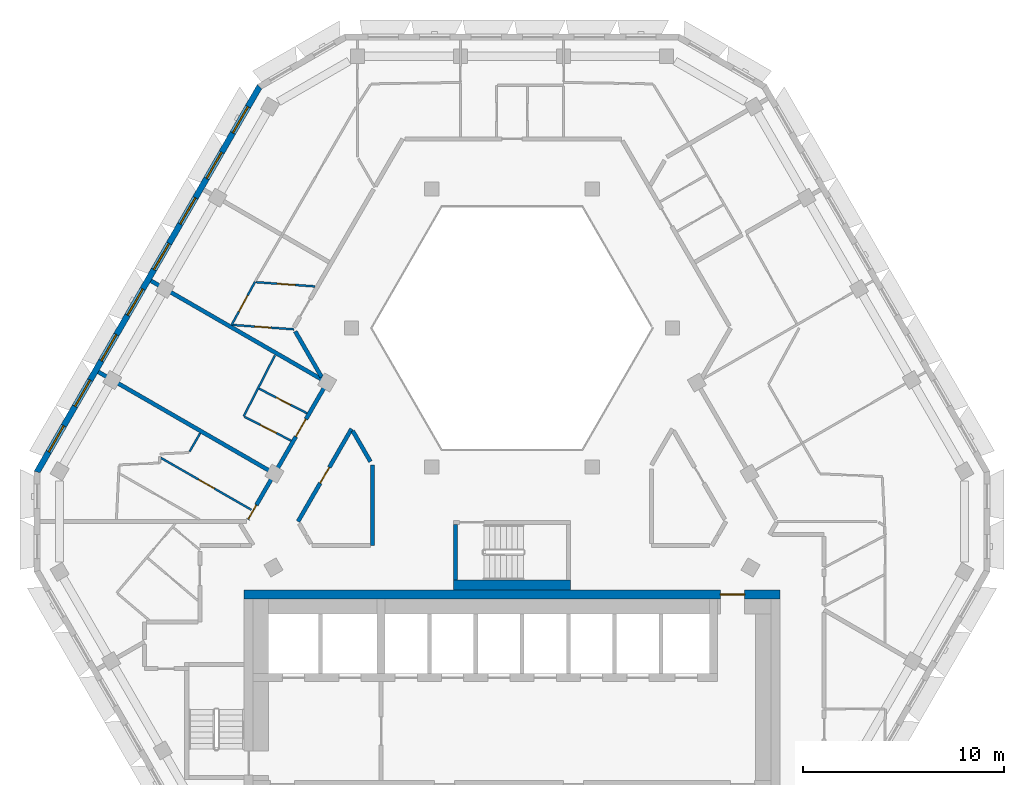
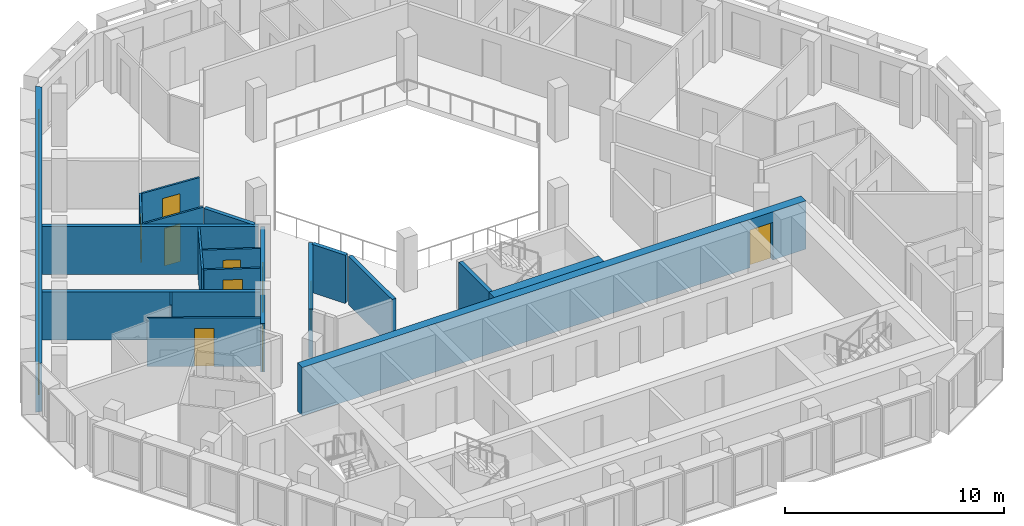
# One storey, part 5 of 16: 19 walls, 10 doors, 8 windows, 18 openings.
"""IFC4 building model written with IfcOpenShell, lengths in metres."""

from ifc_helpers import new_model, si_unit, direction, frame, frame_2d, origin, place, context, subcontext, project, spatial, polyline, rectangle, outline, extrude, material, layer, layer_set, type_object, element, fill, save


model = new_model("IFC4")

# Units and contexts
model_context = context("Model", 3, precision=1e-05, world=origin(), true_north=direction((0.0, 1.0)))
body_context = subcontext(model_context, "Body", "Model", "MODEL_VIEW")
ifc_project = project(units=[si_unit("LENGTHUNIT", "METRE"), si_unit("AREAUNIT", "SQUARE_METRE"), si_unit("VOLUMEUNIT", "CUBIC_METRE"), si_unit("PLANEANGLEUNIT", "RADIAN"), si_unit("MASSUNIT", "GRAM", prefix="KILO")], contexts=[model_context])

# Site, building, storey
site_placement = place(None, origin())
site = spatial("IfcSite", under=ifc_project, at=site_placement, CompositionType="ELEMENT")
building_placement = place(site_placement, origin())
building = spatial("IfcBuilding", under=site, at=building_placement, Name="Beryl Residences", CompositionType="ELEMENT")
storey_placement = place(building_placement, frame((0.0, 0.0, 214.800048828125)))
storey = spatial("IfcBuildingStorey", under=building, at=storey_placement, Name="L66", CompositionType="ELEMENT", Elevation=214.800048828125)

# Wall, openings, windows
ifc_material_1 = material(Name="Composite metal panel with mineral wool insulation")
ifc_layer_1 = layer(ifc_material_1, 0.300048828125)
ifc_layer_set_1 = layer_set([ifc_layer_1], Name="ES1 pale metal composite panel wall 300 mm")
wall_type_1 = type_object("IfcWallType", Name="ES1 pale metal composite panel wall 300 mm", PredefinedType="SOLIDWALL", material=ifc_layer_set_1)
wall_1_placement = place(storey_placement, frame((-12.513916015625, 20.02490234375, 0.0), z_axis=(0.0, 0.0, 1.0), x_axis=(-0.500003656944, -0.866023292436, 0.0)))
wall_1 = element("IfcWall", 1, at=wall_1_placement, inside=storey, type_object=wall_type_1, Name="ES1 external wall L66 NW", PredefinedType="SOLIDWALL", context=body_context, shape_type="SweptSolid", body=[
    extrude(outline(polyline([(0.0, -0.14990234375), (22.170166015625, -0.14990234375), (22.08984375, 0.14990234375), (0.080322265625, 0.14990234375), (0.0, -0.14990234375)])), origin(), (0.0, 0.0, 1.0), 2.699951171875),
])
opening_1_placement = place(wall_1_placement, frame((1.19091796875, 0.0, 0.14990234375)))
opening_1 = element("IfcOpeningElement", 2, at=opening_1_placement, cuts=wall_1, Name="Opening W1", PredefinedType="OPENING", context=body_context, shape_type="SweptSolid", body=[
    extrude(rectangle(XDim=1.5, YDim=2.10009765625, at=frame_2d((0.75, 1.050048828125))), frame((0.0, 0.159912109375, 0.0), z_axis=(0.0, -1.0, 0.0), x_axis=(1.0, 0.0, 0.0)), (0.0, 0.0, 1.0), 0.320068359375),
])
opening_2_placement = place(wall_1_placement, frame((3.803955078125, 0.0, 0.14990234375)))
opening_2 = element("IfcOpeningElement", 3, at=opening_2_placement, cuts=wall_1, Name="Opening W1", PredefinedType="OPENING", context=body_context, shape_type="SweptSolid", body=[
    extrude(rectangle(XDim=1.5, YDim=2.10009765625, at=frame_2d((0.75, 1.050048828125))), frame((0.0, 0.159912109375, 0.0), z_axis=(0.0, -1.0, 0.0), x_axis=(1.0, 0.0, 0.0)), (0.0, 0.0, 1.0), 0.320068359375),
])
opening_3_placement = place(wall_1_placement, frame((6.416015625, 0.0, 0.14990234375)))
opening_3 = element("IfcOpeningElement", 4, at=opening_3_placement, cuts=wall_1, Name="Opening W1", PredefinedType="OPENING", context=body_context, shape_type="SweptSolid", body=[
    extrude(rectangle(XDim=1.5, YDim=2.10009765625, at=frame_2d((0.75, 1.050048828125))), frame((0.0, 0.159912109375, 0.0), z_axis=(0.0, -1.0, 0.0), x_axis=(1.0, 0.0, 0.0)), (0.0, 0.0, 1.0), 0.320068359375),
])
opening_4_placement = place(wall_1_placement, frame((9.029052734375, 0.0, 0.14990234375)))
opening_4 = element("IfcOpeningElement", 5, at=opening_4_placement, cuts=wall_1, Name="Opening W1", PredefinedType="OPENING", context=body_context, shape_type="SweptSolid", body=[
    extrude(rectangle(XDim=1.5, YDim=2.10009765625, at=frame_2d((0.75, 1.050048828125))), frame((0.0, 0.159912109375, 0.0), z_axis=(0.0, -1.0, 0.0), x_axis=(1.0, 0.0, 0.0)), (0.0, 0.0, 1.0), 0.320068359375),
])
opening_5_placement = place(wall_1_placement, frame((11.64111328125, 0.0, 0.14990234375)))
opening_5 = element("IfcOpeningElement", 6, at=opening_5_placement, cuts=wall_1, Name="Opening W1", PredefinedType="OPENING", context=body_context, shape_type="SweptSolid", body=[
    extrude(rectangle(XDim=1.5, YDim=2.10009765625, at=frame_2d((0.75, 1.050048828125))), frame((0.0, 0.159912109375, 0.0), z_axis=(0.0, -1.0, 0.0), x_axis=(1.0, 0.0, 0.0)), (0.0, 0.0, 1.0), 0.320068359375),
])
opening_6_placement = place(wall_1_placement, frame((14.25390625, 0.0, 0.14990234375)))
opening_6 = element("IfcOpeningElement", 7, at=opening_6_placement, cuts=wall_1, Name="Opening W1", PredefinedType="OPENING", context=body_context, shape_type="SweptSolid", body=[
    extrude(rectangle(XDim=1.5, YDim=2.10009765625, at=frame_2d((0.75, 1.050048828125))), frame((0.0, 0.159912109375, 0.0), z_axis=(0.0, -1.0, 0.0), x_axis=(1.0, 0.0, 0.0)), (0.0, 0.0, 1.0), 0.320068359375),
])
opening_7_placement = place(wall_1_placement, frame((16.865966796875, 0.0, 0.14990234375)))
opening_7 = element("IfcOpeningElement", 8, at=opening_7_placement, cuts=wall_1, Name="Opening W1", PredefinedType="OPENING", context=body_context, shape_type="SweptSolid", body=[
    extrude(rectangle(XDim=1.5, YDim=2.10009765625, at=frame_2d((0.75, 1.050048828125))), frame((0.0, 0.159912109375, 0.0), z_axis=(0.0, -1.0, 0.0), x_axis=(1.0, 0.0, 0.0)), (0.0, 0.0, 1.0), 0.320068359375),
])
opening_8_placement = place(wall_1_placement, frame((19.47900390625, 0.0, 0.14990234375)))
opening_8 = element("IfcOpeningElement", 9, at=opening_8_placement, cuts=wall_1, Name="Opening W1", PredefinedType="OPENING", context=body_context, shape_type="SweptSolid", body=[
    extrude(rectangle(XDim=1.5, YDim=2.10009765625, at=frame_2d((0.75, 1.050048828125))), frame((0.0, 0.159912109375, 0.0), z_axis=(0.0, -1.0, 0.0), x_axis=(1.0, 0.0, 0.0)), (0.0, 0.0, 1.0), 0.320068359375),
])
ifc_material_2 = material(Name="Aluminium and clear glass", Category="aluminium")
window_type = type_object("IfcWindowType", Name="W1 cell window 1500 x 2100 mm", PartitioningType="SINGLE_PANEL", PredefinedType="WINDOW", material=ifc_material_2)
window_1_placement = place(opening_1_placement, origin())
window_1 = element("IfcWindow", 10, at=window_1_placement, inside=storey, type_object=window_type, Name="W1 window L66 NW 1", OverallHeight=2.10009765625, OverallWidth=1.5, PartitioningType="SINGLE_PANEL", PredefinedType="WINDOW", context=body_context, shape_type="SweptSolid", body=[
    extrude(rectangle(XDim=1.5, YDim=2.10009765625, at=frame_2d((0.75, 1.050048828125))), frame((0.0, 0.030029296875, 0.0), z_axis=(0.0, -1.0, 0.0), x_axis=(1.0, 0.0, 0.0)), (0.0, 0.0, 1.0), 0.06005859375),
])
fill(opening_1, window_1)
window_2_placement = place(opening_2_placement, origin())
window_2 = element("IfcWindow", 11, at=window_2_placement, inside=storey, type_object=window_type, Name="W1 window L66 NW 2", OverallHeight=2.10009765625, OverallWidth=1.5, PartitioningType="SINGLE_PANEL", PredefinedType="WINDOW", context=body_context, shape_type="SweptSolid", body=[
    extrude(rectangle(XDim=1.5, YDim=2.10009765625, at=frame_2d((0.75, 1.050048828125))), frame((0.0, 0.030029296875, 0.0), z_axis=(0.0, -1.0, 0.0), x_axis=(1.0, 0.0, 0.0)), (0.0, 0.0, 1.0), 0.06005859375),
])
fill(opening_2, window_2)
window_3_placement = place(opening_3_placement, origin())
window_3 = element("IfcWindow", 12, at=window_3_placement, inside=storey, type_object=window_type, Name="W1 window L66 NW 3", OverallHeight=2.10009765625, OverallWidth=1.5, PartitioningType="SINGLE_PANEL", PredefinedType="WINDOW", context=body_context, shape_type="SweptSolid", body=[
    extrude(rectangle(XDim=1.5, YDim=2.10009765625, at=frame_2d((0.75, 1.050048828125))), frame((0.0, 0.030029296875, 0.0), z_axis=(0.0, -1.0, 0.0), x_axis=(1.0, 0.0, 0.0)), (0.0, 0.0, 1.0), 0.06005859375),
])
fill(opening_3, window_3)
window_4_placement = place(opening_4_placement, origin())
window_4 = element("IfcWindow", 13, at=window_4_placement, inside=storey, type_object=window_type, Name="W1 window L66 NW 4", OverallHeight=2.10009765625, OverallWidth=1.5, PartitioningType="SINGLE_PANEL", PredefinedType="WINDOW", context=body_context, shape_type="SweptSolid", body=[
    extrude(rectangle(XDim=1.5, YDim=2.10009765625, at=frame_2d((0.75, 1.050048828125))), frame((0.0, 0.030029296875, 0.0), z_axis=(0.0, -1.0, 0.0), x_axis=(1.0, 0.0, 0.0)), (0.0, 0.0, 1.0), 0.06005859375),
])
fill(opening_4, window_4)
window_5_placement = place(opening_5_placement, origin())
window_5 = element("IfcWindow", 14, at=window_5_placement, inside=storey, type_object=window_type, Name="W1 window L66 NW 5", OverallHeight=2.10009765625, OverallWidth=1.5, PartitioningType="SINGLE_PANEL", PredefinedType="WINDOW", context=body_context, shape_type="SweptSolid", body=[
    extrude(rectangle(XDim=1.5, YDim=2.10009765625, at=frame_2d((0.75, 1.050048828125))), frame((0.0, 0.030029296875, 0.0), z_axis=(0.0, -1.0, 0.0), x_axis=(1.0, 0.0, 0.0)), (0.0, 0.0, 1.0), 0.06005859375),
])
fill(opening_5, window_5)
window_6_placement = place(opening_6_placement, origin())
window_6 = element("IfcWindow", 15, at=window_6_placement, inside=storey, type_object=window_type, Name="W1 window L66 NW 6", OverallHeight=2.10009765625, OverallWidth=1.5, PartitioningType="SINGLE_PANEL", PredefinedType="WINDOW", context=body_context, shape_type="SweptSolid", body=[
    extrude(rectangle(XDim=1.5, YDim=2.10009765625, at=frame_2d((0.75, 1.050048828125))), frame((0.0, 0.030029296875, 0.0), z_axis=(0.0, -1.0, 0.0), x_axis=(1.0, 0.0, 0.0)), (0.0, 0.0, 1.0), 0.06005859375),
])
fill(opening_6, window_6)
window_7_placement = place(opening_7_placement, origin())
window_7 = element("IfcWindow", 16, at=window_7_placement, inside=storey, type_object=window_type, Name="W1 window L66 NW 7", OverallHeight=2.10009765625, OverallWidth=1.5, PartitioningType="SINGLE_PANEL", PredefinedType="WINDOW", context=body_context, shape_type="SweptSolid", body=[
    extrude(rectangle(XDim=1.5, YDim=2.10009765625, at=frame_2d((0.75, 1.050048828125))), frame((0.0, 0.030029296875, 0.0), z_axis=(0.0, -1.0, 0.0), x_axis=(1.0, 0.0, 0.0)), (0.0, 0.0, 1.0), 0.06005859375),
])
fill(opening_7, window_7)
window_8_placement = place(opening_8_placement, origin())
window_8 = element("IfcWindow", 17, at=window_8_placement, inside=storey, type_object=window_type, Name="W1 window L66 NW 8", OverallHeight=2.10009765625, OverallWidth=1.5, PartitioningType="SINGLE_PANEL", PredefinedType="WINDOW", context=body_context, shape_type="SweptSolid", body=[
    extrude(rectangle(XDim=1.5, YDim=2.10009765625, at=frame_2d((0.75, 1.050048828125))), frame((0.0, 0.030029296875, 0.0), z_axis=(0.0, -1.0, 0.0), x_axis=(1.0, 0.0, 0.0)), (0.0, 0.0, 1.0), 0.06005859375),
])
fill(opening_8, window_8)

# Wall, opening, door
ifc_material_3 = material(Name="Gypsum board partition on steel studs", Category="steel")
ifc_layer_2 = layer(ifc_material_3, 0.10009765625)
ifc_layer_set_2 = layer_set([ifc_layer_2], Name="PT1 partition 100 mm gypsum board on steel studs")
wall_type_2 = type_object("IfcWallType", Name="PT1 partition 100 mm gypsum board on steel studs", PredefinedType="PARTITIONING", material=ifc_layer_set_2)
wall_2_placement = place(storey_placement, frame((-12.56201171875, 4.9951171875, 0.0), z_axis=(0.0, 0.0, 1.0), x_axis=(0.889807979554, -0.456335139478, 0.0)))
wall_2 = element("IfcWall", 18, at=wall_2_placement, inside=storey, type_object=wall_type_2, Name="Wall PT1 L66 015", PredefinedType="PARTITIONING", context=body_context, shape_type="SweptSolid", body=[
    extrude(rectangle(XDim=2.680419921875, YDim=0.10009765625, at=frame_2d((1.34033203125, 0.0))), origin(), (0.0, 0.0, 1.0), 2.699951171875),
])
opening_9_placement = place(wall_2_placement, frame((0.965087890625, 0.0, 0.0)))
opening_9 = element("IfcOpeningElement", 19, at=opening_9_placement, cuts=wall_2, Name="Opening D1816", PredefinedType="OPENING", context=body_context, shape_type="SweptSolid", body=[
    extrude(rectangle(XDim=0.800048828125, YDim=2.10009765625, at=frame_2d((0.39990234375, 1.050048828125))), frame((0.0, 0.06005859375, 0.0), z_axis=(0.0, -1.0, 0.0), x_axis=(1.0, 0.0, 0.0)), (0.0, 0.0, 1.0), 0.1201171875),
])
ifc_material_4 = material(Name="Timber door leaf", Category="wood")
door_type_1 = type_object("IfcDoorType", Name="D3 bathroom door 800 x 2100 mm", OperationType="SINGLE_SWING_LEFT", PredefinedType="DOOR", material=ifc_material_4)
door_1_placement = place(opening_9_placement, origin())
door_1 = element("IfcDoor", 20, at=door_1_placement, inside=storey, type_object=door_type_1, Name="Door D1816 L66 001", OperationType="SINGLE_SWING_RIGHT", OverallHeight=2.10009765625, OverallWidth=0.800048828125, PredefinedType="DOOR", context=body_context, shape_type="SweptSolid", body=[
    extrude(rectangle(XDim=0.800048828125, YDim=2.10009765625, at=frame_2d((0.39990234375, 1.050048828125))), frame((0.0, 0.02490234375, 0.0), z_axis=(0.0, -1.0, 0.0), x_axis=(1.0, 0.0, 0.0)), (0.0, 0.0, 1.0), 0.050048828125),
])
fill(opening_9, door_1)

wall_3_placement = place(storey_placement, frame((-13.277099609375, 3.597900390625, 0.0), z_axis=(0.0, 0.0, 1.0), x_axis=(0.889780322893, -0.456389063182, 0.0)))
wall_3 = element("IfcWall", 21, at=wall_3_placement, inside=storey, type_object=wall_type_2, Name="Wall PT1 L66 016", PredefinedType="PARTITIONING", context=body_context, shape_type="SweptSolid", body=[
    extrude(rectangle(XDim=2.600830078125, YDim=0.10009765625, at=frame_2d((1.30029296875, 0.0))), origin(), (0.0, 0.0, 1.0), 2.699951171875),
])
opening_10_placement = place(wall_3_placement, frame((0.875, 0.0, 0.0)))
opening_10 = element("IfcOpeningElement", 22, at=opening_10_placement, cuts=wall_3, Name="Opening D1815", PredefinedType="OPENING", context=body_context, shape_type="SweptSolid", body=[
    extrude(rectangle(XDim=0.89990234375, YDim=2.10009765625, at=frame_2d((0.449951171875, 1.050048828125))), frame((0.0, 0.06005859375, 0.0), z_axis=(0.0, -1.0, 0.0), x_axis=(1.0, 0.0, 0.0)), (0.0, 0.0, 1.0), 0.1201171875),
])
ifc_material_5 = material(Name="Timber door leaf", Category="wood")
door_type_2 = type_object("IfcDoorType", Name="D2 room door 900 x 2100 mm", OperationType="SINGLE_SWING_LEFT", PredefinedType="DOOR", material=ifc_material_5)
door_2_placement = place(opening_10_placement, origin())
door_2 = element("IfcDoor", 23, at=door_2_placement, inside=storey, type_object=door_type_2, Name="Door D1815 L66 001", OperationType="SINGLE_SWING_LEFT", OverallHeight=2.10009765625, OverallWidth=0.89990234375, PredefinedType="DOOR", context=body_context, shape_type="SweptSolid", body=[
    extrude(rectangle(XDim=0.89990234375, YDim=2.10009765625, at=frame_2d((0.449951171875, 1.050048828125))), frame((0.0, 0.02490234375, 0.0), z_axis=(0.0, -1.0, 0.0), x_axis=(1.0, 0.0, 0.0)), (0.0, 0.0, 1.0), 0.050048828125),
])
fill(opening_10, door_2)

wall_4_placement = place(storey_placement, frame((-17.44091796875, 1.56201171875, 0.0), z_axis=(0.0, 0.0, 1.0), x_axis=(0.867419073464, -0.497578286293, 0.0)))
wall_4 = element("IfcWall", 24, at=wall_4_placement, inside=storey, type_object=wall_type_2, Name="Wall PT1 L66 017", PredefinedType="PARTITIONING", context=body_context, shape_type="SweptSolid", body=[
    extrude(rectangle(XDim=5.185302734375, YDim=0.10009765625, at=frame_2d((2.5927734375, 0.0))), origin(), (0.0, 0.0, 1.0), 2.699951171875),
])
opening_11_placement = place(wall_4_placement, frame((2.1650390625, 0.0, 0.0)))
opening_11 = element("IfcOpeningElement", 25, at=opening_11_placement, cuts=wall_4, Name="Opening D1818", PredefinedType="OPENING", context=body_context, shape_type="SweptSolid", body=[
    extrude(rectangle(XDim=0.89990234375, YDim=2.10009765625, at=frame_2d((0.449951171875, 1.050048828125))), frame((0.0, 0.06005859375, 0.0), z_axis=(0.0, -1.0, 0.0), x_axis=(1.0, 0.0, 0.0)), (0.0, 0.0, 1.0), 0.1201171875),
])
door_3_placement = place(opening_11_placement, origin())
door_3 = element("IfcDoor", 26, at=door_3_placement, inside=storey, type_object=door_type_2, Name="Door D1818 L66 001", OperationType="SINGLE_SWING_RIGHT", OverallHeight=2.10009765625, OverallWidth=0.89990234375, PredefinedType="DOOR", context=body_context, shape_type="SweptSolid", body=[
    extrude(rectangle(XDim=0.89990234375, YDim=2.10009765625, at=frame_2d((0.449951171875, 1.050048828125))), frame((0.0, 0.02490234375, 0.0), z_axis=(0.0, -1.0, 0.0), x_axis=(1.0, 0.0, 0.0)), (0.0, 0.0, 1.0), 0.050048828125),
])
fill(opening_11, door_3)

wall_5_placement = place(storey_placement, frame((-13.865966796875, 8.158935546875, 0.0), z_axis=(0.0, 0.0, 1.0), x_axis=(0.9974481372, -0.071394772886, 0.0)))
wall_5 = element("IfcWall", 27, at=wall_5_placement, inside=storey, type_object=wall_type_2, Name="Wall PT1 L66 020", PredefinedType="PARTITIONING", context=body_context, shape_type="SweptSolid", body=[
    extrude(rectangle(XDim=3.0537109375, YDim=0.10009765625, at=frame_2d((1.52685546875, 0.0))), origin(), (0.0, 0.0, 1.0), 2.699951171875),
])
opening_12_placement = place(wall_5_placement, frame((1.09912109375, 0.0, 0.0)))
opening_12 = element("IfcOpeningElement", 28, at=opening_12_placement, cuts=wall_5, Name="Opening D1812", PredefinedType="OPENING", context=body_context, shape_type="SweptSolid", body=[
    extrude(rectangle(XDim=0.800048828125, YDim=2.10009765625, at=frame_2d((0.39990234375, 1.050048828125))), frame((0.0, 0.06005859375, 0.0), z_axis=(0.0, -1.0, 0.0), x_axis=(1.0, 0.0, 0.0)), (0.0, 0.0, 1.0), 0.1201171875),
])
door_4_placement = place(opening_12_placement, origin())
door_4 = element("IfcDoor", 29, at=door_4_placement, inside=storey, type_object=door_type_1, Name="Door D1812 L66 001", OperationType="SINGLE_SWING_RIGHT", OverallHeight=2.10009765625, OverallWidth=0.800048828125, PredefinedType="DOOR", context=body_context, shape_type="SweptSolid", body=[
    extrude(rectangle(XDim=0.800048828125, YDim=2.10009765625, at=frame_2d((0.39990234375, 1.050048828125))), frame((0.0, 0.02490234375, 0.0), z_axis=(0.0, -1.0, 0.0), x_axis=(1.0, 0.0, 0.0)), (0.0, 0.0, 1.0), 0.050048828125),
])
fill(opening_12, door_4)

wall_6_placement = place(storey_placement, frame((-12.7119140625, 10.281982421875, 0.0), z_axis=(0.0, 0.0, 1.0), x_axis=(0.997457858552, -0.071258826911, 0.0)))
wall_6 = element("IfcWall", 30, at=wall_6_placement, inside=storey, type_object=wall_type_2, Name="Wall PT1 L66 021", PredefinedType="PARTITIONING", context=body_context, shape_type="SweptSolid", body=[
    extrude(rectangle(XDim=2.946533203125, YDim=0.10009765625, at=frame_2d((1.47314453125, 0.0))), origin(), (0.0, 0.0, 1.0), 2.699951171875),
])
opening_13_placement = place(wall_6_placement, frame((1.051025390625, 0.0, 0.0)))
opening_13 = element("IfcOpeningElement", 31, at=opening_13_placement, cuts=wall_6, Name="Opening D1811", PredefinedType="OPENING", context=body_context, shape_type="SweptSolid", body=[
    extrude(rectangle(XDim=0.89990234375, YDim=2.10009765625, at=frame_2d((0.449951171875, 1.050048828125))), frame((0.0, 0.06005859375, 0.0), z_axis=(0.0, -1.0, 0.0), x_axis=(1.0, 0.0, 0.0)), (0.0, 0.0, 1.0), 0.1201171875),
])
door_5_placement = place(opening_13_placement, origin())
door_5 = element("IfcDoor", 32, at=door_5_placement, inside=storey, type_object=door_type_2, Name="Door D1811 L66 001", OperationType="SINGLE_SWING_LEFT", OverallHeight=2.10009765625, OverallWidth=0.89990234375, PredefinedType="DOOR", context=body_context, shape_type="SweptSolid", body=[
    extrude(rectangle(XDim=0.89990234375, YDim=2.10009765625, at=frame_2d((0.449951171875, 1.050048828125))), frame((0.0, 0.02490234375, 0.0), z_axis=(0.0, -1.0, 0.0), x_axis=(1.0, 0.0, 0.0)), (0.0, 0.0, 1.0), 0.050048828125),
])
fill(opening_13, door_5)

# Wall
wall_7_placement = place(storey_placement, frame((-16.006103515625, 1.8759765625, 0.0), z_axis=(0.0, 0.0, 1.0), x_axis=(0.499949632511, 0.866054481515, 0.0)))
element("IfcWall", 33, at=wall_7_placement, inside=storey, type_object=wall_type_2, Name="Wall PT1 L66 029", PredefinedType="PARTITIONING", context=body_context, shape_type="SweptSolid", body=[
    extrude(rectangle(XDim=1.05419921875, YDim=0.10009765625, at=frame_2d((0.527099609375, 0.0))), origin(), (0.0, 0.0, 1.0), 2.699951171875),
])

# Wall, opening, door
wall_8_placement = place(storey_placement, frame((-13.929931640625, 8.14501953125, 0.0), z_axis=(0.0, 0.0, 1.0), x_axis=(0.477194887681, 0.878797496111, 0.0)))
wall_8 = element("IfcWall", 34, at=wall_8_placement, inside=storey, type_object=wall_type_2, Name="Wall PT1 L66 032", PredefinedType="PARTITIONING", context=body_context, shape_type="SweptSolid", body=[
    extrude(rectangle(XDim=2.457763671875, YDim=0.10009765625, at=frame_2d((1.22900390625, 0.0))), origin(), (0.0, 0.0, 1.0), 2.699951171875),
])
opening_14_placement = place(wall_8_placement, frame((0.779052734375, 0.0, 0.0)))
opening_14 = element("IfcOpeningElement", 35, at=opening_14_placement, cuts=wall_8, Name="Opening D1813", PredefinedType="OPENING", context=body_context, shape_type="SweptSolid", body=[
    extrude(rectangle(XDim=0.89990234375, YDim=2.10009765625, at=frame_2d((0.449951171875, 1.050048828125))), frame((0.0, 0.06005859375, 0.0), z_axis=(0.0, -1.0, 0.0), x_axis=(1.0, 0.0, 0.0)), (0.0, 0.0, 1.0), 0.1201171875),
])
door_6_placement = place(opening_14_placement, origin())
door_6 = element("IfcDoor", 36, at=door_6_placement, inside=storey, type_object=door_type_2, Name="Door D1813 L66 001", OperationType="SINGLE_SWING_LEFT", OverallHeight=2.10009765625, OverallWidth=0.89990234375, PredefinedType="DOOR", context=body_context, shape_type="SweptSolid", body=[
    extrude(rectangle(XDim=0.89990234375, YDim=2.10009765625, at=frame_2d((0.449951171875, 1.050048828125))), frame((0.0, 0.02490234375, 0.0), z_axis=(0.0, -1.0, 0.0), x_axis=(1.0, 0.0, 0.0)), (0.0, 0.0, 1.0), 0.050048828125),
])
fill(opening_14, door_6)

# Walls
wall_9_placement = place(storey_placement, frame((-13.322021484375, 3.6220703125, 0.0), z_axis=(0.0, 0.0, 1.0), x_axis=(0.456157649007, 0.889898982611, 0.0)))
element("IfcWall", 37, at=wall_9_placement, inside=storey, type_object=wall_type_2, Name="Wall PT1 L66 033", PredefinedType="PARTITIONING", context=body_context, shape_type="SweptSolid", body=[
    extrude(rectangle(XDim=3.39794921875, YDim=0.10009765625, at=frame_2d((1.698974609375, 0.0))), origin(), (0.0, 0.0, 1.0), 2.699951171875),
])
ifc_material_6 = material(Name="Acoustic double stud gypsum board wall")
ifc_layer_3 = layer(ifc_material_6, 0.199951171875)
ifc_layer_set_3 = layer_set([ifc_layer_3], Name="PT3 party wall 200 mm acoustic double stud")
wall_type_3 = type_object("IfcWallType", Name="PT3 party wall 200 mm acoustic double stud", PredefinedType="PARTITIONING", material=ifc_layer_set_3)
wall_10_placement = place(storey_placement, frame((-20.5390625, 5.824951171875, 0.0), z_axis=(0.0, 0.0, 1.0), x_axis=(0.866028187226, -0.499995178908, 0.0)))
element("IfcWall", 38, at=wall_10_placement, inside=storey, type_object=wall_type_3, Name="Wall PT3 L66 002", PredefinedType="PARTITIONING", context=body_context, shape_type="SweptSolid", body=[
    extrude(rectangle(XDim=9.99609375, YDim=0.199951171875, at=frame_2d((4.998046875, 0.0))), origin(), (0.0, 0.0, 1.0), 2.699951171875),
])
wall_11_placement = place(storey_placement, frame((-17.926025390625, 10.35009765625, 0.0), z_axis=(0.0, 0.0, 1.0), x_axis=(0.866018411306, -0.500012111133, 0.0)))
element("IfcWall", 39, at=wall_11_placement, inside=storey, type_object=wall_type_3, Name="Wall PT3 L66 003", PredefinedType="PARTITIONING", context=body_context, shape_type="SweptSolid", body=[
    extrude(rectangle(XDim=9.898193359375, YDim=0.199951171875, at=frame_2d((4.94921875, 0.0))), origin(), (0.0, 0.0, 1.0), 2.699951171875),
])
ifc_material_7 = material(Name="Double stud gypsum board wall")
ifc_layer_4 = layer(ifc_material_7, 0.199951171875)
ifc_layer_set_4 = layer_set([ifc_layer_4], Name="PT4 corridor wall 200 mm double stud")
wall_type_4 = type_object("IfcWallType", Name="PT4 corridor wall 200 mm double stud", PredefinedType="PARTITIONING", material=ifc_layer_set_4)
wall_12_placement = place(storey_placement, frame((-10.762939453125, 7.841064453125, 0.0), z_axis=(0.0, 0.0, 1.0), x_axis=(0.499980792466, -0.866036492975, 0.0)))
element("IfcWall", 40, at=wall_12_placement, inside=storey, type_object=wall_type_4, Name="Wall PT4 L66 001", PredefinedType="PARTITIONING", context=body_context, shape_type="SweptSolid", body=[
    extrude(rectangle(XDim=2.61767578125, YDim=0.199951171875, at=frame_2d((1.308837890625, 0.0))), origin(), (0.0, 0.0, 1.0), 2.699951171875),
])
wall_13_placement = place(storey_placement, frame((-7.908935546875, 2.89794921875, 0.0), z_axis=(0.0, 0.0, 1.0), x_axis=(0.50019444547, -0.865913111531, 0.0)))
element("IfcWall", 41, at=wall_13_placement, inside=storey, type_object=wall_type_4, Name="Wall PT4 L66 002", PredefinedType="PARTITIONING", context=body_context, shape_type="SweptSolid", body=[
    extrude(rectangle(XDim=1.760986328125, YDim=0.199951171875, at=frame_2d((0.88037109375, 0.0))), origin(), (0.0, 0.0, 1.0), 2.699951171875),
])

# Wall, opening, door
wall_14_placement = place(storey_placement, frame((-10.623046875, -1.60009765625, 0.0), z_axis=(0.0, 0.0, 1.0), x_axis=(0.500040865889, 0.866001808567, 0.0)))
wall_14 = element("IfcWall", 42, at=wall_14_placement, inside=storey, type_object=wall_type_4, Name="Wall PT4 L66 025", PredefinedType="PARTITIONING", context=body_context, shape_type="SweptSolid", body=[
    extrude(rectangle(XDim=5.3095703125, YDim=0.199951171875, at=frame_2d((2.65478515625, 0.0))), origin(), (0.0, 0.0, 1.0), 2.699951171875),
])
opening_15_placement = place(wall_14_placement, frame((2.205078125, 0.0, 0.0)))
opening_15 = element("IfcOpeningElement", 43, at=opening_15_placement, cuts=wall_14, Name="Opening D1842", PredefinedType="OPENING", context=body_context, shape_type="SweptSolid", body=[
    extrude(rectangle(XDim=0.89990234375, YDim=2.10009765625, at=frame_2d((0.449951171875, 1.050048828125))), frame((0.0, 0.10986328125, 0.0), z_axis=(0.0, -1.0, 0.0), x_axis=(1.0, 0.0, 0.0)), (0.0, 0.0, 1.0), 0.219970703125),
])
door_7_placement = place(opening_15_placement, origin())
door_7 = element("IfcDoor", 44, at=door_7_placement, inside=storey, type_object=door_type_2, Name="Door D1842 L66 001", OperationType="SINGLE_SWING_RIGHT", OverallHeight=2.10009765625, OverallWidth=0.89990234375, PredefinedType="DOOR", context=body_context, shape_type="SweptSolid", body=[
    extrude(rectangle(XDim=0.89990234375, YDim=2.10009765625, at=frame_2d((0.449951171875, 1.050048828125))), frame((0.0, 0.02490234375, 0.0), z_axis=(0.0, -1.0, 0.0), x_axis=(1.0, 0.0, 0.0)), (0.0, 0.0, 1.0), 0.050048828125),
])
fill(opening_15, door_7)

# Wall, openings, doors
wall_15_placement = place(storey_placement, frame((-13.10595703125, -1.5, 0.0), z_axis=(0.0, 0.0, 1.0), x_axis=(0.500025705601, 0.86601056214, 0.0)))
wall_15 = element("IfcWall", 45, at=wall_15_placement, inside=storey, type_object=wall_type_4, Name="Wall PT4 L66 026", PredefinedType="PARTITIONING", context=body_context, shape_type="SweptSolid", body=[
    extrude(rectangle(XDim=7.7353515625, YDim=0.199951171875, at=frame_2d((3.86767578125, 0.0))), origin(), (0.0, 0.0, 1.0), 2.699951171875),
])
opening_16_placement = place(wall_15_placement, frame((4.748046875, 0.0, 0.0)))
opening_16 = element("IfcOpeningElement", 46, at=opening_16_placement, cuts=wall_15, Name="Opening D1814", PredefinedType="OPENING", context=body_context, shape_type="SweptSolid", body=[
    extrude(rectangle(XDim=1.0, YDim=2.10009765625, at=frame_2d((0.5, 1.050048828125))), frame((0.0, 0.10986328125, 0.0), z_axis=(0.0, -1.0, 0.0), x_axis=(1.0, 0.0, 0.0)), (0.0, 0.0, 1.0), 0.219970703125),
])
opening_17_placement = place(wall_15_placement, frame((0.030029296875, 0.0, 0.0)))
opening_17 = element("IfcOpeningElement", 47, at=opening_17_placement, cuts=wall_15, Name="Opening D1817", PredefinedType="OPENING", context=body_context, shape_type="SweptSolid", body=[
    extrude(rectangle(XDim=0.800048828125, YDim=2.10009765625, at=frame_2d((0.39990234375, 1.050048828125))), frame((0.0, 0.10986328125, 0.0), z_axis=(0.0, -1.0, 0.0), x_axis=(1.0, 0.0, 0.0)), (0.0, 0.0, 1.0), 0.219970703125),
])
ifc_material_8 = material(Name="Timber door leaf", Category="wood")
door_type_3 = type_object("IfcDoorType", Name="D1 flat entrance door 1000 x 2100 mm", OperationType="SINGLE_SWING_LEFT", PredefinedType="DOOR", material=ifc_material_8)
door_8_placement = place(opening_16_placement, origin())
door_8 = element("IfcDoor", 48, at=door_8_placement, inside=storey, type_object=door_type_3, Name="Door D1814 L66 001", OperationType="SINGLE_SWING_RIGHT", OverallHeight=2.10009765625, OverallWidth=1.0, PredefinedType="DOOR", context=body_context, shape_type="SweptSolid", body=[
    extrude(rectangle(XDim=1.0, YDim=2.10009765625, at=frame_2d((0.5, 1.050048828125))), frame((0.0, 0.02490234375, 0.0), z_axis=(0.0, -1.0, 0.0), x_axis=(1.0, 0.0, 0.0)), (0.0, 0.0, 1.0), 0.050048828125),
])
fill(opening_16, door_8)
ifc_material_9 = material(Name="Timber door leaf", Category="wood")
door_type_4 = type_object("IfcDoorType", Name="D12 flat entrance door 800 x 2100 mm", OperationType="SINGLE_SWING_LEFT", PredefinedType="DOOR", material=ifc_material_9)
door_9_placement = place(opening_17_placement, origin())
door_9 = element("IfcDoor", 49, at=door_9_placement, inside=storey, type_object=door_type_4, Name="Door D1817 L66 001", OperationType="SINGLE_SWING_LEFT", OverallHeight=2.10009765625, OverallWidth=0.800048828125, PredefinedType="DOOR", context=body_context, shape_type="SweptSolid", body=[
    extrude(rectangle(XDim=0.800048828125, YDim=2.10009765625, at=frame_2d((0.39990234375, 1.050048828125))), frame((0.0, 0.02490234375, 0.0), z_axis=(0.0, -1.0, 0.0), x_axis=(1.0, 0.0, 0.0)), (0.0, 0.0, 1.0), 0.050048828125),
])
fill(opening_17, door_9)

# Walls
wall_16_placement = place(storey_placement, frame((-6.927978515625, -2.799072265625, 0.0), z_axis=(0.0, 0.0, 1.0), x_axis=(0.0, 1.0, 0.0)))
element("IfcWall", 50, at=wall_16_placement, inside=storey, type_object=wall_type_4, Name="Wall PT4 L66 031", PredefinedType="PARTITIONING", context=body_context, shape_type="SweptSolid", body=[
    extrude(rectangle(XDim=3.9990234375, YDim=0.199951171875, at=frame_2d((1.99951171875, 0.0))), origin(), (0.0, 0.0, 1.0), 2.699951171875),
])
ifc_material_10 = material(Name="Concrete C40/50", Category="concrete")
ifc_layer_5 = layer(ifc_material_10, 0.199951171875)
ifc_layer_set_5 = layer_set([ifc_layer_5], Name="PT5 stair enclosure wall 200 mm reinforced concrete C40/50")
wall_type_5 = type_object("IfcWallType", Name="PT5 stair enclosure wall 200 mm reinforced concrete C40/50", PredefinedType="SOLIDWALL", material=ifc_layer_set_5)
wall_17_placement = place(storey_placement, frame((-2.800048828125, -4.5, 0.0), z_axis=(0.0, 0.0, 1.0), x_axis=(0.0, 1.0, 0.0)))
element("IfcWall", 51, at=wall_17_placement, inside=storey, type_object=wall_type_5, Name="Wall PT5 L66 002", PredefinedType="SOLIDWALL", context=body_context, shape_type="SweptSolid", body=[
    extrude(rectangle(XDim=2.75, YDim=0.199951171875, at=frame_2d((1.375, 0.0))), origin(), (0.0, 0.0, 1.0), 2.699951171875),
])
ifc_material_11 = material(Name="Concrete C40/50", Category="concrete")
ifc_layer_6 = layer(ifc_material_11, 0.5)
ifc_layer_set_6 = layer_set([ifc_layer_6], Name="PT5-500 stair enclosure wall 500 mm")
wall_type_6 = type_object("IfcWallType", Name="PT5-500 stair enclosure wall 500 mm", PredefinedType="SOLIDWALL", material=ifc_layer_set_6)
wall_18_placement = place(storey_placement, frame((-2.89990234375, -4.75, 0.0), z_axis=(0.0, 0.0, 1.0), x_axis=(1.0, 0.0, 0.0)))
element("IfcWall", 52, at=wall_18_placement, inside=storey, type_object=wall_type_6, Name="Wall PT5-500 L66 001", PredefinedType="SOLIDWALL", context=body_context, shape_type="SweptSolid", body=[
    extrude(rectangle(XDim=5.7998046875, YDim=0.5, at=frame_2d((2.89990234375, 0.0))), origin(), (0.0, 0.0, 1.0), 2.699951171875),
])

# Wall, opening, door
ifc_material_12 = material(Name="Concrete C50/60", Category="concrete")
ifc_layer_7 = layer(ifc_material_12, 0.449951171875)
ifc_layer_set_7 = layer_set([ifc_layer_7], Name="SW5 core outer wall 450 mm C50/60")
wall_type_7 = type_object("IfcWallType", Name="SW5 core outer wall 450 mm C50/60", PredefinedType="SHEAR", material=ifc_layer_set_7)
wall_19_placement = place(storey_placement, frame((-13.300048828125, -5.22509765625, 0.0), z_axis=(0.0, 0.0, 1.0), x_axis=(1.0, 0.0, 0.0)))
wall_19 = element("IfcWall", 53, at=wall_19_placement, inside=storey, type_object=wall_type_7, Name="Core wall N L66", PredefinedType="SHEAR", context=body_context, shape_type="SweptSolid", body=[
    extrude(rectangle(XDim=26.60009765625, YDim=0.449951171875, at=frame_2d((13.300048828125, 0.0))), origin(), (0.0, 0.0, 1.0), 2.699951171875),
])
opening_18_placement = place(wall_19_placement, frame((23.64990234375, 0.0, 0.0)))
opening_18 = element("IfcOpeningElement", 54, at=opening_18_placement, cuts=wall_19, Name="Opening FD-NORTH", PredefinedType="OPENING", context=body_context, shape_type="SweptSolid", body=[
    extrude(rectangle(XDim=1.199951171875, YDim=2.10009765625, at=frame_2d((0.60009765625, 1.050048828125))), frame((0.0, 0.23486328125, 0.0), z_axis=(0.0, -1.0, 0.0), x_axis=(1.0, 0.0, 0.0)), (0.0, 0.0, 1.0), 0.469970703125),
])
ifc_material_13 = material(Name="Steel door leaf in steel frame", Category="steel")
door_type_5 = type_object("IfcDoorType", Name="D22 lobby door 1200 x 2100 mm", OperationType="DOUBLE_DOOR_SINGLE_SWING", PredefinedType="DOOR", material=ifc_material_13)
door_10_placement = place(opening_18_placement, origin())
door_10 = element("IfcDoor", 55, at=door_10_placement, inside=storey, type_object=door_type_5, Name="Door FD-NORTH L66 001", OperationType="DOUBLE_DOOR_SINGLE_SWING", OverallHeight=2.10009765625, OverallWidth=1.199951171875, PredefinedType="DOOR", context=body_context, shape_type="SweptSolid", body=[
    extrude(rectangle(XDim=1.199951171875, YDim=2.10009765625, at=frame_2d((0.60009765625, 1.050048828125))), frame((0.0, 0.02490234375, 0.0), z_axis=(0.0, -1.0, 0.0), x_axis=(1.0, 0.0, 0.0)), (0.0, 0.0, 1.0), 0.050048828125),
])
fill(opening_18, door_10)

save(model, "model.ifc")
